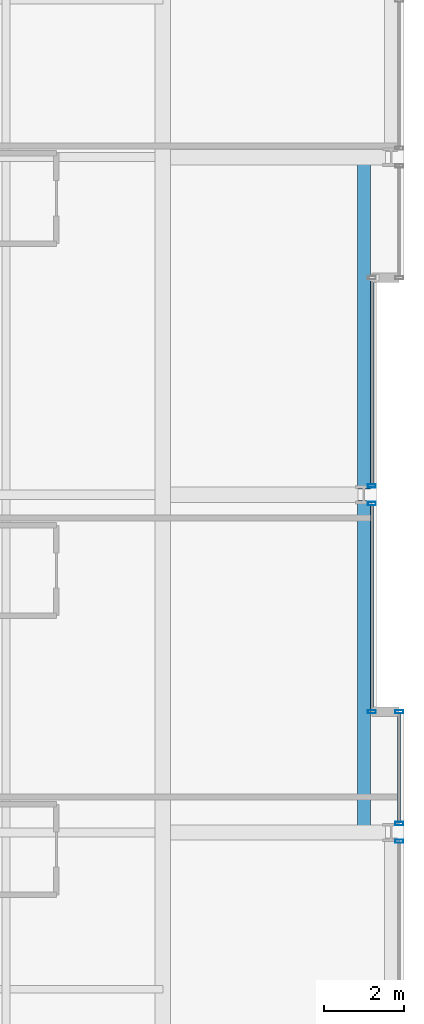
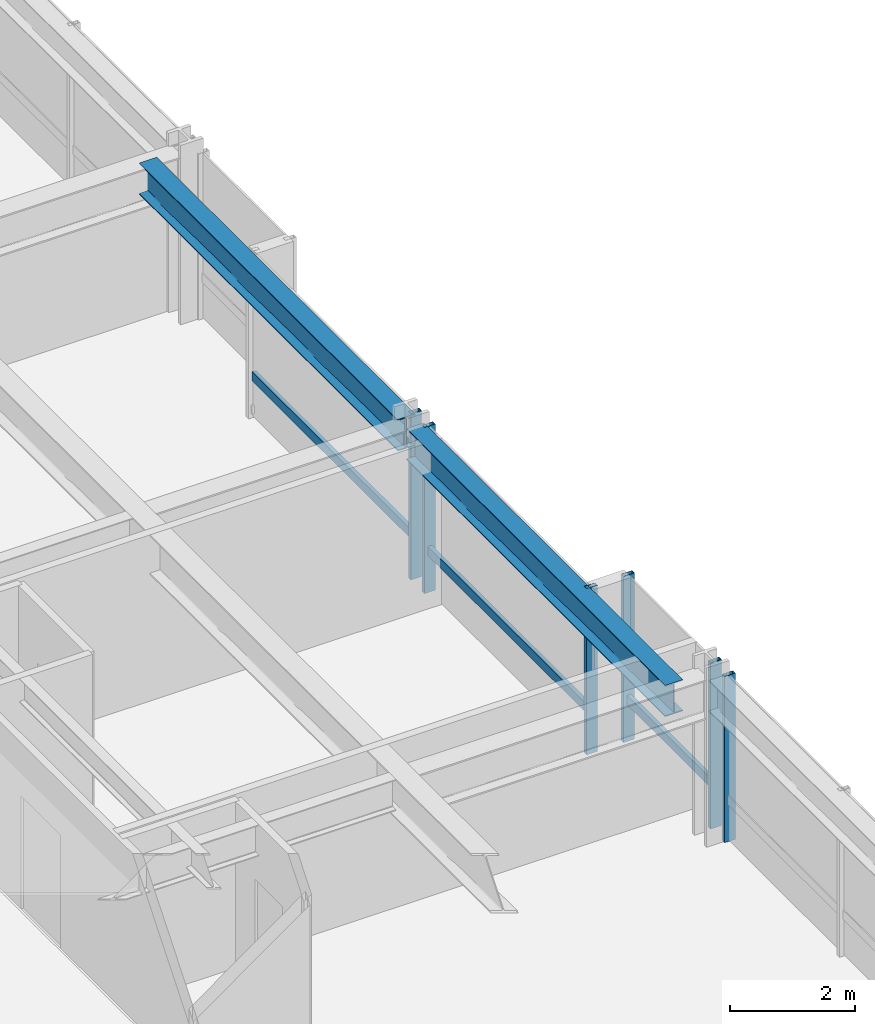
# One storey, part 15 of 34: 9 members, 2 beams, 4 elements without a shape of their own.
"""IFC4 building model written with IfcOpenShell, lengths in metres."""

from ifc_helpers import new_model, si_unit, direction, frame, origin, origin_2d, place, context, subcontext, project, spatial, hollow_rectangle, i_section, extrude, material, layer, layer_set, material_profile, profile_set, type_object, element, aggregate, save


model = new_model("IFC4")

# Units and contexts
model_context = context("Model", 3, precision=1e-05, world=origin(), true_north=direction((0.0, 1.0)))
body_context = subcontext(model_context, "Body", "Model", "MODEL_VIEW")
ifc_project = project(units=[si_unit("LENGTHUNIT", "METRE"), si_unit("AREAUNIT", "SQUARE_METRE"), si_unit("VOLUMEUNIT", "CUBIC_METRE"), si_unit("PLANEANGLEUNIT", "RADIAN"), si_unit("MASSUNIT", "GRAM", prefix="KILO")], contexts=[model_context])

# Site, building, storey
site_placement = place(None, origin())
site = spatial("IfcSite", under=ifc_project, at=site_placement, CompositionType="ELEMENT")
building_placement = place(site_placement, origin())
building = spatial("IfcBuilding", under=site, at=building_placement, Name="Drelvath Grand Hotel", CompositionType="ELEMENT")
storey_placement = place(building_placement, frame((0.0, 0.0, 102.300048828125)))
storey = spatial("IfcBuildingStorey", under=building, at=storey_placement, Name="L25", CompositionType="ELEMENT", Elevation=102.300048828125)

# Curtain wall, member
ifc_material_1 = material(Name="Champagne Bronze Anodised Aluminium Frame", Category="aluminium")
ifc_layer = layer(ifc_material_1, 0.199951171875)
ifc_layer_set = layer_set([ifc_layer], Name="Champagne Bronze Anodised Aluminium Frame")
curtain_wall_type = type_object("IfcCurtainWallType", Name="Stick Curtain Wall CW-03 Champagne Bronze Mid-Rise", PredefinedType="NOTDEFINED", material=ifc_layer_set)
curtain_wall_1_placement = place(storey_placement, origin())
curtain_wall_1 = element("IfcCurtainWall", 1, at=curtain_wall_1_placement, inside=storey, type_object=curtain_wall_type, Name="L25 CW-03 Curtain Wall CW03-L25-EM1", PredefinedType="NOTDEFINED")
ifc_material_profile_1 = material_profile(ifc_material_1, hollow_rectangle(XDim=0.074951171875, YDim=0.179931640625, WallThickness=0.0048828125, at=origin_2d()), Name="HSS180X75X5")
ifc_profile_set_1 = profile_set([ifc_material_profile_1], Name="Champagne Bronze Anodised Aluminium Frame")
member_type_1 = type_object("IfcMemberType", Name="Curtain Wall Horizontal Transom CW-03 HSS180X75X5", PredefinedType="USERDEFINED", material=ifc_profile_set_1)
member_1_placement = place(storey_placement, frame((21.39990234375, 26.740478515625, 0.81005859375), z_axis=(0.0, -1.0, 0.0), x_axis=(1.0, 0.0, 0.0)))
member_1 = element("IfcMember", 2, at=member_1_placement, type_object=member_type_1, Name="CW03-L25-EM1 Sill Transom", ObjectType="TRANSOM", PredefinedType="USERDEFINED", context=body_context, shape_type="SweptSolid", body=[
    extrude(hollow_rectangle(XDim=0.074951171875, YDim=0.179931640625, WallThickness=0.0048828125, at=origin_2d()), origin(), (0.0, 0.0, 1.0), 5.1005859375),
])

curtain_wall_2_placement = place(storey_placement, origin())
curtain_wall_2 = element("IfcCurtainWall", 3, at=curtain_wall_2_placement, inside=storey, type_object=curtain_wall_type, Name="L25 CW-03 Curtain Wall CW03-L25-EM2", PredefinedType="NOTDEFINED")
member_2_placement = place(storey_placement, frame((21.39990234375, 32.360107421875, 0.81005859375), z_axis=(0.0, -1.0, 0.0), x_axis=(1.0, 0.0, 0.0)))
member_2 = element("IfcMember", 4, at=member_2_placement, type_object=member_type_1, Name="CW03-L25-EM2 Sill Transom", ObjectType="TRANSOM", PredefinedType="USERDEFINED", context=body_context, shape_type="SweptSolid", body=[
    extrude(hollow_rectangle(XDim=0.074951171875, YDim=0.179931640625, WallThickness=0.0048828125, at=origin_2d()), origin(), (0.0, 0.0, 1.0), 5.1005859375),
])

curtain_wall_3_placement = place(storey_placement, origin())
curtain_wall_3 = element("IfcCurtainWall", 5, at=curtain_wall_3_placement, inside=storey, type_object=curtain_wall_type, Name="L25 CW-03 Curtain Wall CW03-L25-ES3", PredefinedType="NOTDEFINED")
member_3_placement = place(storey_placement, frame((22.080078125, 21.56005859375, 0.81005859375), z_axis=(0.0, -1.0, 0.0), x_axis=(1.0, 0.0, 0.0)))
member_3 = element("IfcMember", 6, at=member_3_placement, type_object=member_type_1, Name="CW03-L25-ES3 Sill Transom", ObjectType="TRANSOM", PredefinedType="USERDEFINED", context=body_context, shape_type="SweptSolid", body=[
    extrude(hollow_rectangle(XDim=0.074951171875, YDim=0.179931640625, WallThickness=0.0048828125, at=origin_2d()), origin(), (0.0, 0.0, 1.0), 2.700439453125),
])

# Member
ifc_material_profile_2 = material_profile(ifc_material_1, hollow_rectangle(XDim=0.080078125, YDim=0.199951171875, WallThickness=0.0048828125, at=origin_2d()), Name="HSS200X80X5")
ifc_profile_set_2 = profile_set([ifc_material_profile_2], Name="Champagne Bronze Anodised Aluminium Frame")
member_type_2 = type_object("IfcMemberType", Name="Curtain Wall Vertical Mullion CW-03 HSS200X80X5", PredefinedType="MULLION", material=ifc_profile_set_2)
member_4_placement = place(storey_placement, frame((21.39990234375, 26.780517578125, 0.0), z_axis=(0.0, 0.0, 1.0), x_axis=(0.0, 1.0, 0.0)))
member_4 = element("IfcMember", 7, at=member_4_placement, type_object=member_type_2, Name="CW03-L25-EM1 Mullion 1", PredefinedType="MULLION", context=body_context, shape_type="SweptSolid", body=[
    extrude(hollow_rectangle(XDim=0.080078125, YDim=0.199951171875, WallThickness=0.0048828125, at=origin_2d()), origin(), (0.0, 0.0, 1.0), 3.239990234375),
])

member_5_placement = place(storey_placement, frame((21.39990234375, 21.60009765625, 0.0), z_axis=(0.0, 0.0, 1.0), x_axis=(0.0, 1.0, 0.0)))
member_5 = element("IfcMember", 8, at=member_5_placement, type_object=member_type_2, Name="CW03-L25-EM1 Mullion 2", PredefinedType="MULLION", context=body_context, shape_type="SweptSolid", body=[
    extrude(hollow_rectangle(XDim=0.080078125, YDim=0.199951171875, WallThickness=0.0048828125, at=origin_2d()), origin(), (0.0, 0.0, 1.0), 3.239990234375),
])

aggregate(curtain_wall_1, [member_4, member_5, member_1])

member_6_placement = place(storey_placement, frame((21.39990234375, 27.219482421875, 0.0), z_axis=(0.0, 0.0, 1.0), x_axis=(0.0, 1.0, 0.0)))
member_6 = element("IfcMember", 9, at=member_6_placement, type_object=member_type_2, Name="CW03-L25-EM2 Mullion 2", PredefinedType="MULLION", context=body_context, shape_type="SweptSolid", body=[
    extrude(hollow_rectangle(XDim=0.080078125, YDim=0.199951171875, WallThickness=0.0048828125, at=origin_2d()), origin(), (0.0, 0.0, 1.0), 3.239990234375),
])

aggregate(curtain_wall_2, [member_6, member_2])

# Curtain wall, member
curtain_wall_4_placement = place(storey_placement, origin())
curtain_wall_4 = element("IfcCurtainWall", 10, at=curtain_wall_4_placement, inside=storey, type_object=curtain_wall_type, Name="L25 CW-03 Curtain Wall CW03-L25-ES2", PredefinedType="NOTDEFINED")
member_7_placement = place(storey_placement, frame((22.080078125, 18.38037109375, 0.0), z_axis=(0.0, 0.0, 1.0), x_axis=(0.0, 1.0, 0.0)))
member_7 = element("IfcMember", 11, at=member_7_placement, type_object=member_type_2, Name="CW03-L25-ES2 Mullion 1", PredefinedType="MULLION", context=body_context, shape_type="SweptSolid", body=[
    extrude(hollow_rectangle(XDim=0.080078125, YDim=0.199951171875, WallThickness=0.0048828125, at=origin_2d()), origin(), (0.0, 0.0, 1.0), 3.239990234375),
])
aggregate(curtain_wall_4, [member_7])

# Member
member_8_placement = place(storey_placement, frame((22.080078125, 21.60009765625, 0.0), z_axis=(0.0, 0.0, 1.0), x_axis=(0.0, 1.0, 0.0)))
member_8 = element("IfcMember", 12, at=member_8_placement, type_object=member_type_2, Name="CW03-L25-ES3 Mullion 1", PredefinedType="MULLION", context=body_context, shape_type="SweptSolid", body=[
    extrude(hollow_rectangle(XDim=0.080078125, YDim=0.199951171875, WallThickness=0.0048828125, at=origin_2d()), origin(), (0.0, 0.0, 1.0), 3.239990234375),
])

member_9_placement = place(storey_placement, frame((22.080078125, 18.819580078125, 0.0), z_axis=(0.0, 0.0, 1.0), x_axis=(0.0, 1.0, 0.0)))
member_9 = element("IfcMember", 13, at=member_9_placement, type_object=member_type_2, Name="CW03-L25-ES3 Mullion 2", PredefinedType="MULLION", context=body_context, shape_type="SweptSolid", body=[
    extrude(hollow_rectangle(XDim=0.080078125, YDim=0.199951171875, WallThickness=0.0048828125, at=origin_2d()), origin(), (0.0, 0.0, 1.0), 3.239990234375),
])

aggregate(curtain_wall_3, [member_8, member_9, member_3])

# Beams
ifc_material_2 = material(Name="Steel ASTM A992 Gr 50", Category="steel")
ifc_material_profile_3 = material_profile(ifc_material_2, i_section(OverallWidth=0.323974609375, OverallDepth=0.611083984375, WebThickness=0.0126953125, FlangeThickness=0.01904296875, FilletRadius=0.02197265625, at=origin_2d()), Name="W24X104")
ifc_profile_set_3 = profile_set([ifc_material_profile_3], Name="Steel ASTM A992 Gr 50")
beam_type = type_object("IfcBeamType", Name="Perimeter Spandrel Beam W24X104", PredefinedType="SPANDREL", material=ifc_profile_set_3)
for number, where, z_axis, x_axis, name in (
    (14, (21.199951171875, 18.60009765625, 2.9345703125), (0.0, 1.0, 0.0), (-1.0, 0.0, 0.0), "L25 Spandrel East Mid S"),
    (15, (21.199951171875, 27.139892578125, 2.9345703125), (0.0, 1.0, 0.0), (-1.0, 0.0, 0.0), "L25 Spandrel East Mid N"),
):
    element("IfcBeam", number, at=place(storey_placement, frame(where, z_axis=z_axis, x_axis=x_axis)), inside=storey, type_object=beam_type, Name=name, PredefinedType="SPANDREL", context=body_context, shape_type="SweptSolid", body=[
        extrude(i_section(OverallWidth=0.323974609375, OverallDepth=0.611083984375, WebThickness=0.0126953125, FlangeThickness=0.01904296875, FilletRadius=0.02197265625, at=origin_2d()), origin(), (0.0, 0.0, 1.0), 8.260009765625),
    ])

save(model, "model.ifc")
